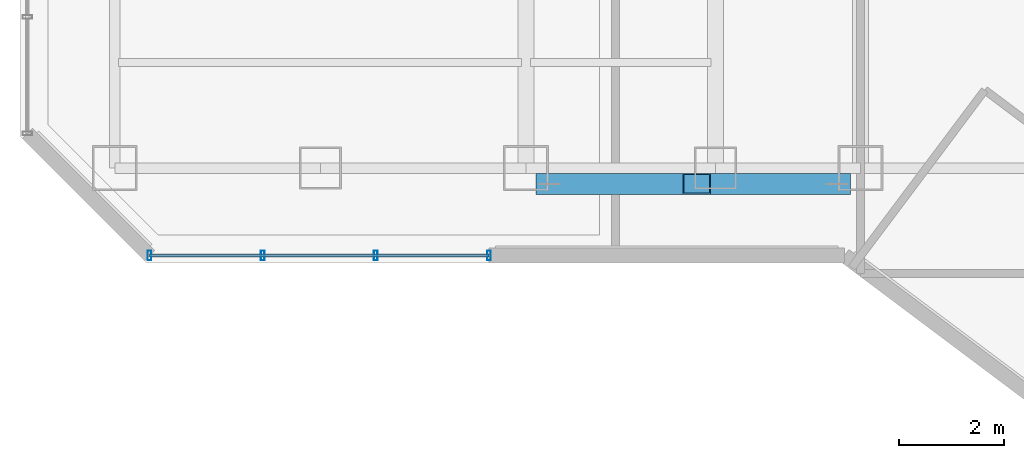
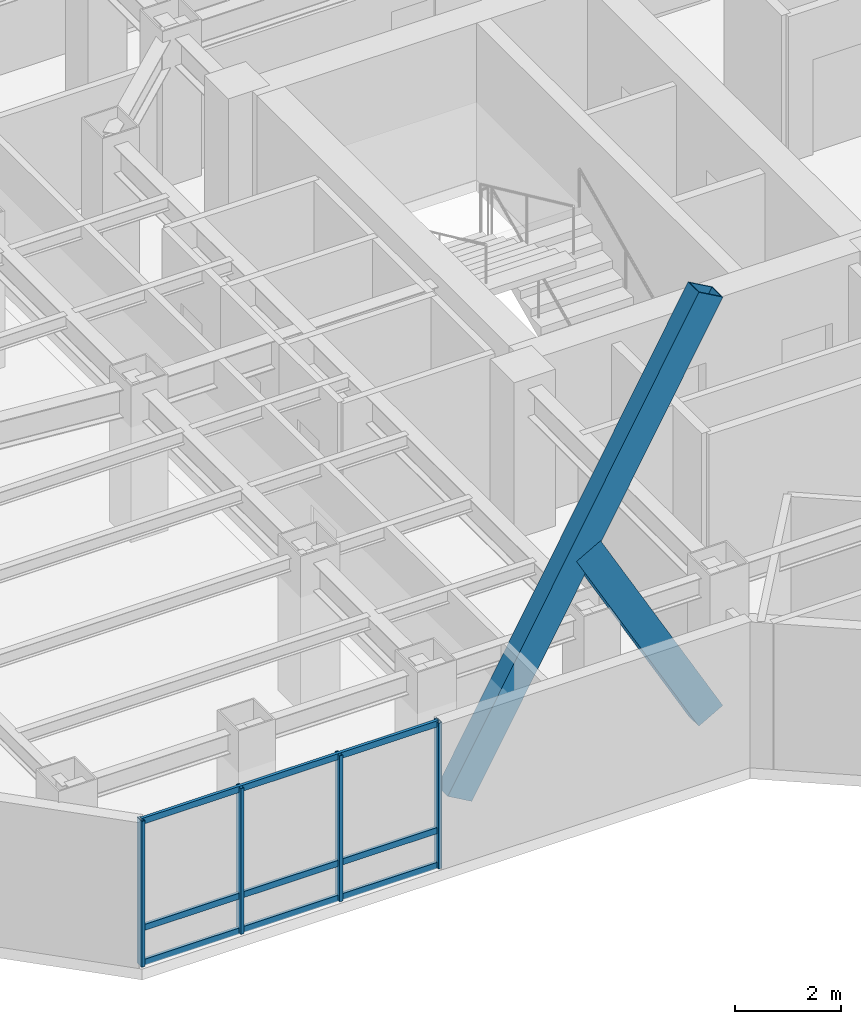
# One storey, part 2 of 26: 9 members, 1 element without a shape of its own.
"""IFC4 building model written with IfcOpenShell, lengths in metres."""

from ifc_helpers import new_model, si_unit, direction, frame, origin, origin_2d, place, context, subcontext, project, spatial, hollow_rectangle, extrude, material, layer, layer_set, material_profile, profile_set, type_object, element, aggregate, save


model = new_model("IFC4")

# Units and contexts
model_context = context("Model", 3, precision=1e-05, world=origin(), true_north=direction((0.0, 1.0)))
body_context = subcontext(model_context, "Body", "Model", "MODEL_VIEW")
ifc_project = project(units=[si_unit("LENGTHUNIT", "METRE"), si_unit("AREAUNIT", "SQUARE_METRE"), si_unit("VOLUMEUNIT", "CUBIC_METRE"), si_unit("PLANEANGLEUNIT", "RADIAN"), si_unit("MASSUNIT", "GRAM", prefix="KILO")], contexts=[model_context])

# Site, building, storey
site_placement = place(None, origin())
site = spatial("IfcSite", under=ifc_project, at=site_placement, CompositionType="ELEMENT")
building_placement = place(site_placement, origin())
building = spatial("IfcBuilding", under=site, at=building_placement, Name="Hatsunagi Terrace Concourse", CompositionType="ELEMENT")
storey_placement = place(building_placement, frame((0.0, 0.0, 134.85009765625)))
storey = spatial("IfcBuildingStorey", under=building, at=storey_placement, Name="L35", CompositionType="ELEMENT", Elevation=134.85009765625)

# Curtain wall, members
ifc_material_1 = material(Name="Anodised Aluminium Alloy 6063-T5", Category="aluminium")
ifc_layer = layer(ifc_material_1, 0.199951171875)
ifc_layer_set = layer_set([ifc_layer], Name="OfficeZone1_CW03")
curtain_wall_type = type_object("IfcCurtainWallType", Name="OfficeZone1_CW03", PredefinedType="NOTDEFINED", material=ifc_layer_set)
curtain_wall_placement = place(storey_placement, origin())
curtain_wall = element("IfcCurtainWall", 1, at=curtain_wall_placement, inside=storey, type_object=curtain_wall_type, Name="Unitised Curtain Wall CW-03 CW-L35-07", PredefinedType="NOTDEFINED")
ifc_material_2 = material(Name="Anodised Aluminium Alloy 6063-T5", Category="aluminium")
ifc_material_profile_1 = material_profile(ifc_material_2, hollow_rectangle(XDim=0.070068359375, YDim=0.179931640625, WallThickness=0.00390625, at=origin_2d()), Name="ALU-MUL-180x70x4")
ifc_profile_set_1 = profile_set([ifc_material_profile_1], Name="Anodised Aluminium Alloy 6063-T5")
member_type_1 = type_object("IfcMemberType", Name="CurtainWallMullion_180x70", PredefinedType="MULLION", material=ifc_profile_set_1)
member_1_placement = place(storey_placement, frame((18.5, 23.5400390625, 0.0), z_axis=(0.0, 0.0, 1.0), x_axis=(-1.0, 0.0, 0.0)))
member_1 = element("IfcMember", 2, at=member_1_placement, type_object=member_type_1, Name="Curtain Wall Mullion MUL-02", PredefinedType="MULLION", context=body_context, shape_type="SweptSolid", body=[
    extrude(hollow_rectangle(XDim=0.070068359375, YDim=0.179931640625, WallThickness=0.00390625, at=origin_2d()), origin(), (0.0, 0.0, 1.0), 3.349853515625),
])
member_2_placement = place(storey_placement, frame((16.35302734375, 23.5400390625, 0.0), z_axis=(0.0, 0.0, 1.0), x_axis=(-1.0, 0.0, 0.0)))
member_2 = element("IfcMember", 3, at=member_2_placement, type_object=member_type_1, Name="Curtain Wall Mullion MUL-02", PredefinedType="MULLION", context=body_context, shape_type="SweptSolid", body=[
    extrude(hollow_rectangle(XDim=0.070068359375, YDim=0.179931640625, WallThickness=0.00390625, at=origin_2d()), origin(), (0.0, 0.0, 1.0), 3.349853515625),
])
member_3_placement = place(storey_placement, frame((14.205078125, 23.5400390625, 0.0), z_axis=(0.0, 0.0, 1.0), x_axis=(-1.0, 0.0, 0.0)))
member_3 = element("IfcMember", 4, at=member_3_placement, type_object=member_type_1, Name="Curtain Wall Mullion MUL-02", PredefinedType="MULLION", context=body_context, shape_type="SweptSolid", body=[
    extrude(hollow_rectangle(XDim=0.070068359375, YDim=0.179931640625, WallThickness=0.00390625, at=origin_2d()), origin(), (0.0, 0.0, 1.0), 3.349853515625),
])
member_4_placement = place(storey_placement, frame((12.05810546875, 23.5400390625, 0.0), z_axis=(0.0, 0.0, 1.0), x_axis=(-1.0, 0.0, 0.0)))
member_4 = element("IfcMember", 5, at=member_4_placement, type_object=member_type_1, Name="Curtain Wall Mullion MUL-02", PredefinedType="MULLION", context=body_context, shape_type="SweptSolid", body=[
    extrude(hollow_rectangle(XDim=0.070068359375, YDim=0.179931640625, WallThickness=0.00390625, at=origin_2d()), origin(), (0.0, 0.0, 1.0), 3.349853515625),
])
ifc_material_3 = material(Name="Anodised Aluminium Alloy 6063-T5", Category="aluminium")
ifc_material_profile_2 = material_profile(ifc_material_3, hollow_rectangle(XDim=0.06494140625, YDim=0.139892578125, WallThickness=0.00390625, at=origin_2d()), Name="ALU-TRN-140x65x4")
ifc_profile_set_2 = profile_set([ifc_material_profile_2], Name="Anodised Aluminium Alloy 6063-T5")
member_type_2 = type_object("IfcMemberType", Name="CurtainWallTransom_140x65", PredefinedType="USERDEFINED", material=ifc_profile_set_2)
member_5_placement = place(storey_placement, frame((18.5, 23.5400390625, 0.0498046875), z_axis=(-1.0, 0.0, 0.0), x_axis=(0.0, -1.0, 0.0)))
member_5 = element("IfcMember", 6, at=member_5_placement, type_object=member_type_2, Name="Curtain Wall Transom TRN-02", ObjectType="TRANSOM", PredefinedType="USERDEFINED", context=body_context, shape_type="SweptSolid", body=[
    extrude(hollow_rectangle(XDim=0.06494140625, YDim=0.139892578125, WallThickness=0.00390625, at=origin_2d()), origin(), (0.0, 0.0, 1.0), 6.44189453125),
])
member_6_placement = place(storey_placement, frame((18.5, 23.5400390625, 0.849853515625), z_axis=(-1.0, 0.0, 0.0), x_axis=(0.0, -1.0, 0.0)))
member_6 = element("IfcMember", 7, at=member_6_placement, type_object=member_type_2, Name="Curtain Wall Transom TRN-02", ObjectType="TRANSOM", PredefinedType="USERDEFINED", context=body_context, shape_type="SweptSolid", body=[
    extrude(hollow_rectangle(XDim=0.06494140625, YDim=0.139892578125, WallThickness=0.00390625, at=origin_2d()), origin(), (0.0, 0.0, 1.0), 6.44189453125),
])
member_7_placement = place(storey_placement, frame((18.5, 23.5400390625, 3.2998046875), z_axis=(-1.0, 0.0, 0.0), x_axis=(0.0, -1.0, 0.0)))
member_7 = element("IfcMember", 8, at=member_7_placement, type_object=member_type_2, Name="Curtain Wall Transom TRN-02", ObjectType="TRANSOM", PredefinedType="USERDEFINED", context=body_context, shape_type="SweptSolid", body=[
    extrude(hollow_rectangle(XDim=0.06494140625, YDim=0.139892578125, WallThickness=0.00390625, at=origin_2d()), origin(), (0.0, 0.0, 1.0), 6.44189453125),
])
aggregate(curtain_wall, [member_1, member_2, member_3, member_4, member_5, member_6, member_7])

# Members
ifc_material_4 = material(Name="Steel SN490B", Category="steel")
ifc_material_profile_3 = material_profile(ifc_material_4, hollow_rectangle(XDim=0.39990234375, YDim=0.60009765625, WallThickness=0.02490234375, at=origin_2d()), Name="RHS-600x400x25")
ifc_profile_set_3 = profile_set([ifc_material_profile_3], Name="Steel SN490B")
member_type_3 = type_object("IfcMemberType", Name="PerimeterXBrace_Mid_RHS_600x400x25", PredefinedType="BRACE", material=ifc_profile_set_3)
member_8_placement = place(storey_placement, frame((19.64990234375, 24.89990234375, 0.43994140625), z_axis=(0.491004565733, 0.0, 0.871156998726), x_axis=(0.0, 1.0, 0.0)))
element("IfcMember", 9, at=member_8_placement, inside=storey, type_object=member_type_3, Name="Perimeter X-Brace XB-02 XB-L35-W1A", PredefinedType="BRACE", context=body_context, shape_type="SweptSolid", body=[
    extrude(hollow_rectangle(XDim=0.39990234375, YDim=0.60009765625, WallThickness=0.02490234375, at=origin_2d()), origin(), (0.0, 0.0, 1.0), 11.10009765625),
])
member_9_placement = place(storey_placement, frame((22.444091796875, 24.89990234375, 5.15283203125), z_axis=(0.490963868484, 0.0, -0.8711799354), x_axis=(0.0, 1.0, 0.0)))
element("IfcMember", 10, at=member_9_placement, inside=storey, type_object=member_type_3, Name="Perimeter X-Brace Split Lower XB-02 XB-L35-W1B2", PredefinedType="BRACE", context=body_context, shape_type="SweptSolid", body=[
    extrude(hollow_rectangle(XDim=0.39990234375, YDim=0.60009765625, WallThickness=0.02490234375, at=origin_2d()), origin(), (0.0, 0.0, 1.0), 5.40966796875),
])

save(model, "model.ifc")
